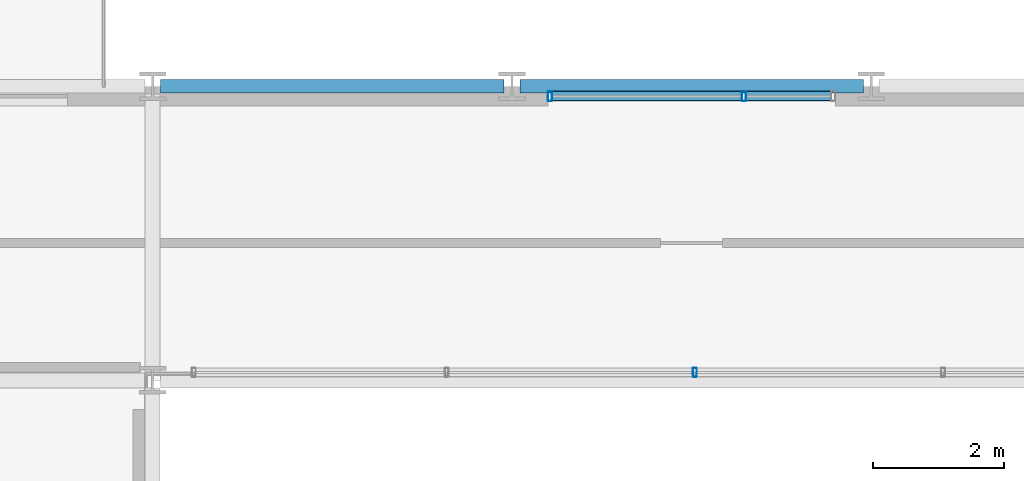
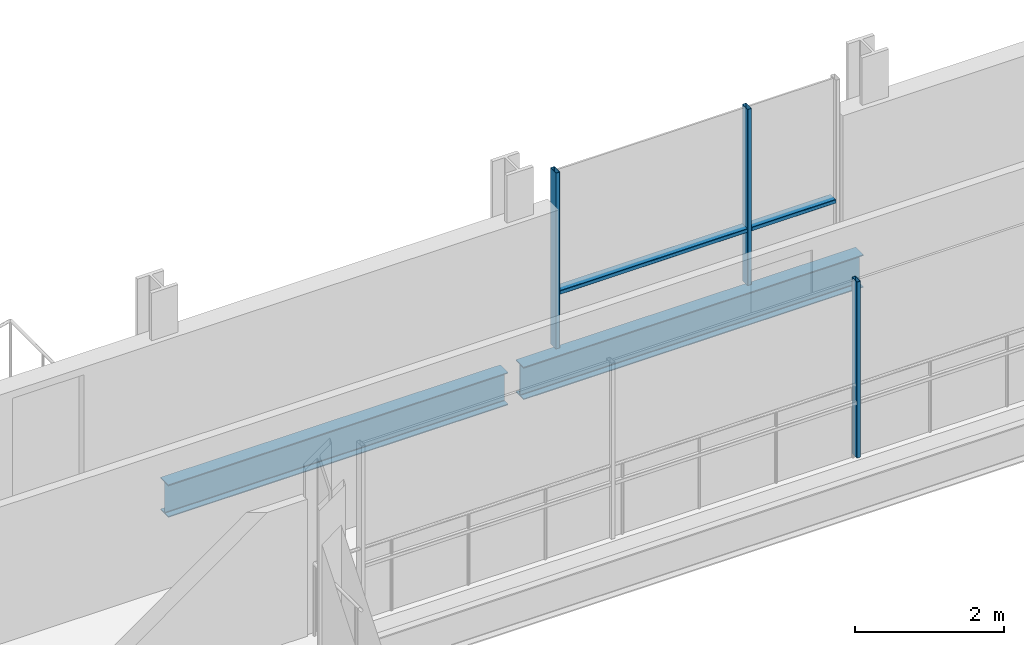
# One storey, part 11 of 38: 5 members, 2 beams, 2 elements without a shape of their own.
"""IFC4 building model written with IfcOpenShell, lengths in metres."""

import ifcopenshell
import ifcopenshell.guid

model = None  # the IFC model being written
_history = None  # IfcOwnerHistory: only IFC2X3 demands one
_inside = {}  # id of a spatial element -> (the spatial element, [elements in it])
_under = {}  # id of a project, library or spatial element -> (it, [spatial elements below it])
_declared = {}  # id of a project -> (the project, [libraries it declares])
_typed = {}  # id of a type object -> (the type object, [elements of that type])
_made_of = {}  # id of a material, layer set ... -> (it, [elements and type objects made of it])


def new_model(schema):
    """Start an empty IFC model of exactly this schema.

    Asked for "IFC4X3", IfcOpenShell would pick the latest addendum, in which some entities
    have other attributes; the version numbers below select the first issue.
    IFC2X3 requires an IfcOwnerHistory on every rooted entity: one is made here for all.
    """
    global model, _history
    if schema == "IFC4X3":
        model = ifcopenshell.file(schema_version=(4, 3, 0, 0))
    else:
        model = ifcopenshell.file(schema=schema)
    _inside.clear()
    _under.clear()
    _declared.clear()
    _typed.clear()
    _made_of.clear()
    _history = None
    if model.schema == "IFC2X3":
        org = make("IfcOrganization", Name="unknown")
        user = make(
            "IfcPersonAndOrganization",
            ThePerson=make("IfcPerson", FamilyName="unknown"),
            TheOrganization=org,
        )
        app = make(
            "IfcApplication",
            ApplicationDeveloper=org,
            Version="unknown",
            ApplicationFullName="unknown",
            ApplicationIdentifier="unknown",
        )
        _history = make(
            "IfcOwnerHistory",
            OwningUser=user,
            OwningApplication=app,
            ChangeAction="ADDED",
            CreationDate=0,
        )
    return model


def make(cls, **values):
    """One entity of the class cls with the attributes given. An attribute that is None is left unset."""
    return model.create_entity(
        cls, **{name: value for name, value in values.items() if value is not None}
    )


def rooted(cls, **values):
    """An entity with a GlobalId (a new one), such as an element, a storey or a relation."""
    return make(cls, GlobalId=ifcopenshell.guid.new(), OwnerHistory=_history, **values)


def si_unit(unit_type, name, prefix=None):
    """IfcSIUnit, for example si_unit("LENGTHUNIT", "METRE", prefix="MILLI")."""
    return make("IfcSIUnit", UnitType=unit_type, Prefix=prefix, Name=name)


def assignment(units):
    """IfcUnitAssignment: the units of a project."""
    return None if units is None else make("IfcUnitAssignment", Units=units)


def point(xyz):
    """IfcCartesianPoint."""
    return None if xyz is None else make("IfcCartesianPoint", Coordinates=xyz)


def direction(xyz):
    """IfcDirection."""
    return None if xyz is None else make("IfcDirection", DirectionRatios=xyz)


def frame(location, z_axis=None, x_axis=None):
    """IfcAxis2Placement3D, a coordinate frame: its origin and axes. An axis left out is left unset."""
    return make(
        "IfcAxis2Placement3D",
        Location=point(location),
        Axis=direction(z_axis),
        RefDirection=direction(x_axis),
    )


def frame_2d(location, x_axis=None):
    """IfcAxis2Placement2D, a coordinate frame in the plane: its origin and x axis."""
    return make(
        "IfcAxis2Placement2D", Location=point(location), RefDirection=direction(x_axis)
    )


def origin():
    """The frame at (0, 0, 0) with its axes left unset."""
    return frame((0.0, 0.0, 0.0))


def origin_2d():
    """The frame at (0, 0) in the plane with its x axis left unset."""
    return frame_2d((0.0, 0.0))


def place(relative_to, where):
    """IfcLocalPlacement: puts the frame where relative to a parent placement (None: the world)."""
    return make(
        "IfcLocalPlacement", PlacementRelTo=relative_to, RelativePlacement=where
    )


def context(
    kind, dimensions, precision=None, world=None, true_north=None, identifier=None
):
    """IfcGeometricRepresentationContext, for example the 3D "Model" context."""
    return make(
        "IfcGeometricRepresentationContext",
        ContextIdentifier=identifier,
        ContextType=kind,
        CoordinateSpaceDimension=dimensions,
        Precision=precision,
        WorldCoordinateSystem=world,
        TrueNorth=true_north,
    )


def subcontext(parent, identifier, kind, view, scale=None):
    """IfcGeometricRepresentationSubContext, for example "Body" below "Model"."""
    return make(
        "IfcGeometricRepresentationSubContext",
        ContextIdentifier=identifier,
        ContextType=kind,
        ParentContext=parent,
        TargetScale=scale,
        TargetView=view,
    )


def project(units=None, contexts=None):
    """IfcProject with its units and contexts."""
    return rooted(
        "IfcProject",
        Name="project",
        RepresentationContexts=contexts,
        UnitsInContext=assignment(units),
    )


def spatial(cls, under=None, at=None, **own):
    """A site, building, storey or space (cls), placed at a placement, below another one or the project."""
    s = rooted(cls, ObjectPlacement=at, **own)
    if under is not None:
        _under.setdefault(under.id(), (under, []))[1].append(s)
    return s


def profile(cls, at=None, kind="AREA", **sizes):
    """A parametric profile (cls). Its sizes go by their IFC names, for example OverallWidth=200.0."""
    return make(cls, ProfileType=kind, Position=at, **sizes)


def hollow_rectangle(**sizes):
    """IfcRectangleHollowProfileDef."""
    return profile("IfcRectangleHollowProfileDef", **sizes)


def i_section(**sizes):
    """IfcIShapeProfileDef."""
    return profile("IfcIShapeProfileDef", **sizes)


def extrude(swept, where, along, depth):
    """IfcExtrudedAreaSolid: the profile swept, set in the frame where, extruded along a direction by depth."""
    return make(
        "IfcExtrudedAreaSolid",
        SweptArea=swept,
        Position=where,
        ExtrudedDirection=direction(along),
        Depth=depth,
    )


def shape(context_of_items, identifier, shape_type, items):
    """IfcShapeRepresentation: the items that make up one representation, for example the "Body"."""
    return make(
        "IfcShapeRepresentation",
        ContextOfItems=context_of_items,
        RepresentationIdentifier=identifier,
        RepresentationType=shape_type,
        Items=items,
    )


def material(Name=None, Category=None):
    """IfcMaterial."""
    return make("IfcMaterial", Name=Name, Category=Category)


def layer(
    of_material, thickness, ventilated=None, Name=None, Category=None, Priority=None
):
    """IfcMaterialLayer: one layer of a wall or slab, of a material (None: an air gap)."""
    return make(
        "IfcMaterialLayer",
        Material=of_material,
        LayerThickness=thickness,
        IsVentilated=ventilated,
        Name=Name,
        Category=Category,
        Priority=Priority,
    )


def layer_set(layers, Name=None):
    """IfcMaterialLayerSet."""
    return make("IfcMaterialLayerSet", MaterialLayers=layers, LayerSetName=Name)


def material_profile(
    of_material, cross_section, Name=None, Category=None, Priority=None
):
    """IfcMaterialProfile: a cross section and its material."""
    return make(
        "IfcMaterialProfile",
        Name=Name,
        Material=of_material,
        Profile=cross_section,
        Priority=Priority,
        Category=Category,
    )


def profile_set(profiles, Name=None, composite=None):
    """IfcMaterialProfileSet."""
    return make(
        "IfcMaterialProfileSet",
        Name=Name,
        MaterialProfiles=profiles,
        CompositeProfile=composite,
    )


def made_of(thing, what):
    """Note that an element or type object is made of a material, layer set ...; save() writes the relation."""
    if what is not None:
        _made_of.setdefault(what.id(), (what, []))[1].append(thing)
    return thing


def type_object(cls, material=None, **own):
    """A type object (cls), such as IfcWallType, which elements share."""
    return made_of(rooted(cls, **own), material)


def element(
    cls,
    number,
    at=None,
    inside=None,
    cuts=None,
    type_object=None,
    material=None,
    context=None,
    identifier="Body",
    shape_type=None,
    held_by="IfcProductDefinitionShape",
    body=None,
    shapes=None,
    **own,
):
    """One element of the class cls, such as IfcWall. Its Tag is "e" and its number.

    at: its placement. inside: the storey or other place that contains it. cuts: it is an
    opening in that element (IfcRelVoidsElement). A single representation is given by context,
    identifier, shape_type and body (its items); several are given by shapes. held_by: the class
    of the entity that holds the representations. save() writes the other relations.
    """
    e = rooted(cls, Tag="e%d" % number, ObjectPlacement=at, **own)
    if body is not None:
        shapes = [shape(context, identifier, shape_type, body)]
    if shapes is not None:
        e.Representation = make(held_by, Representations=shapes)
    if inside is not None:
        _inside.setdefault(inside.id(), (inside, []))[1].append(e)
    if cuts is not None:
        rooted(
            "IfcRelVoidsElement", RelatingBuildingElement=cuts, RelatedOpeningElement=e
        )
    if type_object is not None:
        _typed.setdefault(type_object.id(), (type_object, []))[1].append(e)
    return made_of(e, material)


def aggregate(whole, parts):
    """IfcRelAggregates: a whole, such as a stair, and the parts it consists of."""
    return rooted("IfcRelAggregates", RelatingObject=whole, RelatedObjects=parts)


def save(model, path):
    """Write the relations noted so far, then the file.

    IfcRelAggregates (storeys below a building ...), IfcRelContainedInSpatialStructure (elements
    in a storey), IfcRelDefinesByType, IfcRelAssociatesMaterial and IfcRelDeclares: one each for
    every whole, place, type object, material and project.
    """
    for whole, parts in _under.values():
        aggregate(whole, parts)
    for where, things in _inside.values():
        rooted(
            "IfcRelContainedInSpatialStructure",
            RelatedElements=things,
            RelatingStructure=where,
        )
    for kind, things in _typed.values():
        rooted("IfcRelDefinesByType", RelatedObjects=things, RelatingType=kind)
    for what, things in _made_of.values():
        rooted("IfcRelAssociatesMaterial", RelatedObjects=things, RelatingMaterial=what)
    for by, libraries in _declared.values():
        rooted("IfcRelDeclares", RelatingContext=by, RelatedDefinitions=libraries)
    model.write(path)


model = new_model("IFC4")

# Units and contexts
model_context = context("Model", 3, precision=1e-05, world=origin(), true_north=direction((0.0, 1.0)))
body_context = subcontext(model_context, "Body", "Model", "MODEL_VIEW")
ifc_project = project(units=[si_unit("LENGTHUNIT", "METRE"), si_unit("AREAUNIT", "SQUARE_METRE"), si_unit("VOLUMEUNIT", "CUBIC_METRE"), si_unit("PLANEANGLEUNIT", "RADIAN"), si_unit("MASSUNIT", "GRAM", prefix="KILO")], contexts=[model_context])

# Site, building, storey
site_placement = place(None, origin())
site = spatial("IfcSite", under=ifc_project, at=site_placement, CompositionType="ELEMENT")
building_placement = place(site_placement, origin())
building = spatial("IfcBuilding", under=site, at=building_placement, Name="Brevholm Reach", CompositionType="ELEMENT")
storey_placement = place(building_placement, frame((0.0, 0.0, 122.10009765625)))
storey = spatial("IfcBuildingStorey", under=building, at=storey_placement, Name="L36", CompositionType="ELEMENT", Elevation=122.10009765625)

# Beams
ifc_material_1 = material(Name="Structural Steel S355J2", Category="steel")
ifc_material_profile_1 = material_profile(ifc_material_1, i_section(OverallWidth=0.209228515625, OverallDepth=0.533203125, WebThickness=0.010009765625, FlangeThickness=0.015625, FilletRadius=0.0126953125, at=origin_2d()), Name="UKB 533x210x92")
ifc_profile_set_1 = profile_set([ifc_material_profile_1], Name="Structural Steel S355J2")
beam_type = type_object("IfcBeamType", Name="BM-SP533", PredefinedType="SPANDREL", material=ifc_profile_set_1)
for number, where, z_axis, x_axis, name in (
    (1, (21.8701171875, 31.0, -0.486572265625), (1.0, 0.0, 0.0), (0.0, 1.0, 0.0), "L36 SP-02 Framing Beam"),
    (2, (27.3701171875, 31.0, -0.486572265625), (1.0, 0.0, 0.0), (0.0, 1.0, 0.0), "L36 SP-02 Framing Beam"),
):
    element("IfcBeam", number, at=place(storey_placement, frame(where, z_axis=z_axis, x_axis=x_axis)), inside=storey, type_object=beam_type, Name=name, PredefinedType="SPANDREL", context=body_context, shape_type="SweptSolid", body=[
        extrude(i_section(OverallWidth=0.209228515625, OverallDepth=0.533203125, WebThickness=0.010009765625, FlangeThickness=0.015625, FilletRadius=0.0126953125, at=origin_2d()), origin(), (0.0, 0.0, 1.0), 5.259765625),
    ])

# Curtain wall, member
ifc_material_2 = material(Name="Dark Anodised Aluminium 6063-T6 and Solar-Control Glass", Category="aluminium")
ifc_layer_1 = layer(ifc_material_2, 0.139892578125)
ifc_layer_set_1 = layer_set([ifc_layer_1], Name="Dark Anodised Aluminium 6063-T6 and Solar-Control Glass")
curtain_wall_type_1 = type_object("IfcCurtainWallType", Name="CW-02", PredefinedType="NOTDEFINED", material=ifc_layer_set_1)
curtain_wall_1_placement = place(storey_placement, origin())
curtain_wall_1 = element("IfcCurtainWall", 3, at=curtain_wall_1_placement, inside=storey, type_object=curtain_wall_type_1, Name="L36 Curtain Wall CW-02", PredefinedType="NOTDEFINED")
ifc_material_3 = material(Name="Dark Anodised Aluminium 6063-T6", Category="aluminium")
ifc_material_profile_2 = material_profile(ifc_material_3, hollow_rectangle(XDim=0.06005859375, YDim=0.139892578125, WallThickness=0.0048828125, InnerFilletRadius=0.0048828125, OuterFilletRadius=0.010009765625, at=origin_2d()), Name="RHS 140x60x5")
ifc_profile_set_2 = profile_set([ifc_material_profile_2], Name="Dark Anodised Aluminium 6063-T6")
member_type_1 = type_object("IfcMemberType", Name="CWM-140", PredefinedType="MULLION", material=ifc_profile_set_2)
member_1_placement = place(storey_placement, frame((30.050048828125, 26.6201171875, 0.0), z_axis=(0.0, 0.0, 1.0), x_axis=(-1.0, 0.0, 0.0)))
member_1 = element("IfcMember", 4, at=member_1_placement, type_object=member_type_1, Name="CM-140 Mullion 3", PredefinedType="MULLION", context=body_context, shape_type="SweptSolid", body=[
    extrude(hollow_rectangle(XDim=0.06005859375, YDim=0.139892578125, WallThickness=0.0048828125, InnerFilletRadius=0.0048828125, OuterFilletRadius=0.010009765625, at=origin_2d()), origin(), (0.0, 0.0, 1.0), 2.8798828125),
])
aggregate(curtain_wall_1, [member_1])

# Curtain wall, members
ifc_material_4 = material(Name="Dark Anodised Aluminium 6063-T6 and Solar-Control Glass", Category="aluminium")
ifc_layer_2 = layer(ifc_material_4, 0.14990234375)
ifc_layer_set_2 = layer_set([ifc_layer_2], Name="Dark Anodised Aluminium 6063-T6 and Solar-Control Glass")
curtain_wall_type_2 = type_object("IfcCurtainWallType", Name="CW-01", PredefinedType="NOTDEFINED", material=ifc_layer_set_2)
curtain_wall_2_placement = place(storey_placement, origin())
curtain_wall_2 = element("IfcCurtainWall", 5, at=curtain_wall_2_placement, inside=storey, type_object=curtain_wall_type_2, Name="L36 Curtain Wall CW-01", PredefinedType="NOTDEFINED")
ifc_material_5 = material(Name="Dark Anodised Aluminium 6063-T6", Category="aluminium")
ifc_material_profile_3 = material_profile(ifc_material_5, hollow_rectangle(XDim=0.06494140625, YDim=0.14990234375, WallThickness=0.0048828125, InnerFilletRadius=0.0048828125, OuterFilletRadius=0.010009765625, at=origin_2d()), Name="RHS 150x65x5")
ifc_profile_set_3 = profile_set([ifc_material_profile_3], Name="Dark Anodised Aluminium 6063-T6")
member_type_2 = type_object("IfcMemberType", Name="CWM-150", PredefinedType="MULLION", material=ifc_profile_set_3)
member_2_placement = place(storey_placement, frame((27.83251953125, 30.85009765625, 0.0), z_axis=(0.0, 0.0, 1.0), x_axis=(1.0, 0.0, 0.0)))
member_2 = element("IfcMember", 6, at=member_2_placement, type_object=member_type_2, Name="CM-150 Mullion 1", PredefinedType="MULLION", context=body_context, shape_type="SweptSolid", body=[
    extrude(hollow_rectangle(XDim=0.06494140625, YDim=0.14990234375, WallThickness=0.0048828125, InnerFilletRadius=0.0048828125, OuterFilletRadius=0.010009765625, at=origin_2d()), origin(), (0.0, 0.0, 1.0), 2.8798828125),
])
member_3_placement = place(storey_placement, frame((30.800048828125, 30.85009765625, 0.0), z_axis=(0.0, 0.0, 1.0), x_axis=(1.0, 0.0, 0.0)))
member_3 = element("IfcMember", 7, at=member_3_placement, type_object=member_type_2, Name="CM-150 Mullion 2", PredefinedType="MULLION", context=body_context, shape_type="SweptSolid", body=[
    extrude(hollow_rectangle(XDim=0.06494140625, YDim=0.14990234375, WallThickness=0.0048828125, InnerFilletRadius=0.0048828125, OuterFilletRadius=0.010009765625, at=origin_2d()), origin(), (0.0, 0.0, 1.0), 2.8798828125),
])
ifc_material_6 = material(Name="Dark Anodised Aluminium 6063-T6", Category="aluminium")
ifc_material_profile_4 = material_profile(ifc_material_6, hollow_rectangle(XDim=0.06494140625, YDim=0.14990234375, WallThickness=0.0048828125, InnerFilletRadius=0.0048828125, OuterFilletRadius=0.010009765625, at=origin_2d()), Name="RHS 150x65x5")
ifc_profile_set_4 = profile_set([ifc_material_profile_4], Name="Dark Anodised Aluminium 6063-T6")
member_type_3 = type_object("IfcMemberType", Name="CWT-150", PredefinedType="NOTDEFINED", material=ifc_profile_set_4)
member_4_placement = place(storey_placement, frame((27.864990234375, 30.85009765625, 0.89990234375), z_axis=(1.0, 0.0, 0.0), x_axis=(0.0, 0.0, 1.0)))
member_4 = element("IfcMember", 8, at=member_4_placement, type_object=member_type_3, Name="CT-150 Transom 1.1", ObjectType="TRANSOM", PredefinedType="USERDEFINED", context=body_context, shape_type="SweptSolid", body=[
    extrude(hollow_rectangle(XDim=0.06494140625, YDim=0.14990234375, WallThickness=0.0048828125, InnerFilletRadius=0.0048828125, OuterFilletRadius=0.010009765625, at=origin_2d()), origin(), (0.0, 0.0, 1.0), 2.902587890625),
])
member_5_placement = place(storey_placement, frame((30.83251953125, 30.85009765625, 0.89990234375), z_axis=(1.0, 0.0, 0.0), x_axis=(0.0, 0.0, 1.0)))
member_5 = element("IfcMember", 9, at=member_5_placement, type_object=member_type_3, Name="CT-150 Transom 2.1", ObjectType="TRANSOM", PredefinedType="USERDEFINED", context=body_context, shape_type="SweptSolid", body=[
    extrude(hollow_rectangle(XDim=0.06494140625, YDim=0.14990234375, WallThickness=0.0048828125, InnerFilletRadius=0.0048828125, OuterFilletRadius=0.010009765625, at=origin_2d()), origin(), (0.0, 0.0, 1.0), 1.302490234375),
])
aggregate(curtain_wall_2, [member_2, member_3, member_4, member_5])

save(model, "model.ifc")
